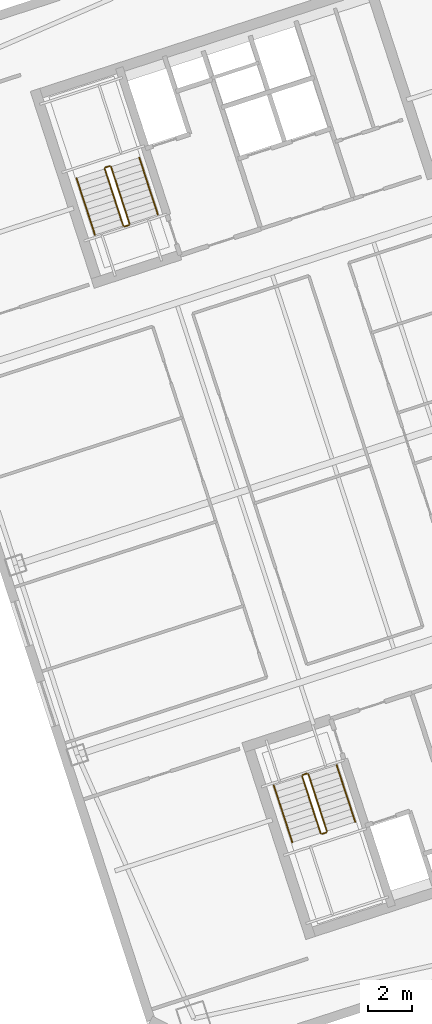
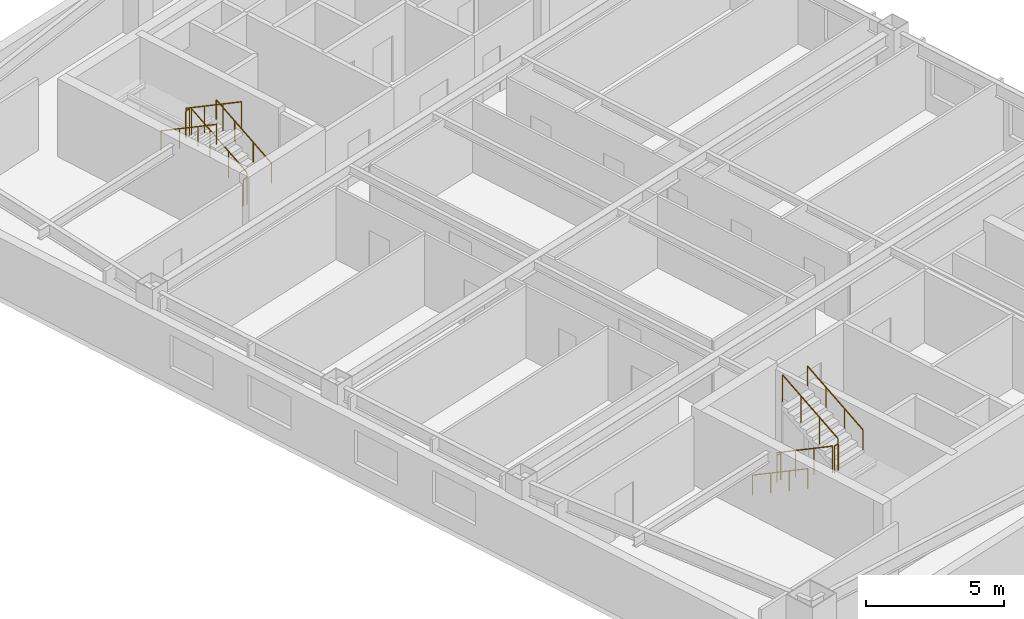
# One storey, part 13 of 13: 12 railings.
"""IFC4 building model written with IfcOpenShell, lengths in metres."""

from ifc_helpers import new_model, si_unit, direction, frame, origin, origin_2d, place, context, subcontext, project, spatial, circle, extrude, material, type_object, element, save


model = new_model("IFC4")

# Units and contexts
model_context = context("Model", 3, precision=1e-05, world=origin(), true_north=direction((0.0, 1.0)))
body_context = subcontext(model_context, "Body", "Model", "MODEL_VIEW")
ifc_project = project(units=[si_unit("LENGTHUNIT", "METRE"), si_unit("AREAUNIT", "SQUARE_METRE"), si_unit("VOLUMEUNIT", "CUBIC_METRE"), si_unit("PLANEANGLEUNIT", "RADIAN"), si_unit("MASSUNIT", "GRAM", prefix="KILO")], contexts=[model_context])

# Site, building, storey
site_placement = place(None, origin())
site = spatial("IfcSite", under=ifc_project, at=site_placement, CompositionType="ELEMENT")
building_placement = place(site_placement, origin())
building = spatial("IfcBuilding", under=site, at=building_placement, Name="Qiaolan Cultural Towers", CompositionType="ELEMENT")
storey_placement = place(building_placement, frame((0.0, 0.0, 192.050048828125)))
storey = spatial("IfcBuildingStorey", under=building, at=storey_placement, Name="L51", CompositionType="ELEMENT", Elevation=192.050048828125)

# Railings
ifc_material_1 = material(Name="Galvanized Painted Steel Stair Guardrail", Category="steel")
railing_type_1 = type_object("IfcRailingType", Name="RL-STAIR-GRD", PredefinedType="GUARDRAIL", material=ifc_material_1)
railing_1_placement = place(storey_placement, frame((88.60205078125, 19.82421875, 0.17236328125)))
element("IfcRailing", 1, at=railing_1_placement, inside=storey, type_object=railing_type_1, Name="L51 ST-E1 stair guard 1", PredefinedType="GUARDRAIL", context=body_context, shape_type="SweptSolid", body=[
    extrude(circle(Radius=0.02392578125, at=origin_2d()), frame((0.0, 0.0, 1.17578125), z_axis=(0.267925668498, -0.824471088726, 0.498460891159), x_axis=(0.951043371037, 0.309057448393, 0.0)), (0.0, 0.0, 1.0), 3.114501953125),
    extrude(circle(Radius=0.02099609375, at=origin_2d()), origin(), (0.0, 0.0, 1.0), 1.15185546875),
    extrude(circle(Radius=0.02099609375, at=origin_2d()), frame((0.278076171875, -0.85595703125, 0.517578125)), (0.0, 0.0, 1.0), 1.15185546875),
    extrude(circle(Radius=0.02099609375, at=origin_2d()), frame((0.556396484375, -1.7119140625, 1.034912109375)), (0.0, 0.0, 1.0), 1.15185546875),
    extrude(circle(Radius=0.02099609375, at=origin_2d()), frame((0.83447265625, -2.56787109375, 1.552490234375)), (0.0, 0.0, 1.0), 1.15185546875),
])
railing_2_placement = place(storey_placement, frame((89.49951171875, 17.224365234375, 1.724853515625)))
element("IfcRailing", 2, at=railing_2_placement, inside=storey, type_object=railing_type_1, Name="L51 ST-E1 stair guard 2", PredefinedType="GUARDRAIL", context=body_context, shape_type="SweptSolid", body=[
    extrude(circle(Radius=0.02392578125, at=origin_2d()), frame((0.0, 0.0, 1.17578125), z_axis=(0.951096855055, 0.308892816854, 0.0), x_axis=(-0.308892816854, 0.951096855055, 0.0)), (0.0, 0.0, 1.0), 0.199951171875),
    extrude(circle(Radius=0.02099609375, at=origin_2d()), origin(), (0.0, 0.0, 1.0), 1.15185546875),
    extrude(circle(Radius=0.02099609375, at=origin_2d()), frame((0.190185546875, 0.061767578125, 0.0)), (0.0, 0.0, 1.0), 1.15185546875),
])
railing_3_placement = place(storey_placement, frame((89.721923828125, 17.34912109375, 1.8974609375)))
element("IfcRailing", 3, at=railing_3_placement, inside=storey, type_object=railing_type_1, Name="L51 ST-E1 stair guard 3", PredefinedType="GUARDRAIL", context=body_context, shape_type="SweptSolid", body=[
    extrude(circle(Radius=0.02392578125, at=origin_2d()), frame((0.0, 0.0, 1.17578125), z_axis=(-0.267925668498, 0.824471088726, 0.498460891159), x_axis=(-0.951043371037, -0.309057448393, 0.0)), (0.0, 0.0, 1.0), 3.114501953125),
    extrude(circle(Radius=0.02099609375, at=origin_2d()), origin(), (0.0, 0.0, 1.0), 1.15185546875),
    extrude(circle(Radius=0.02099609375, at=origin_2d()), frame((-0.278076171875, 0.85595703125, 0.517578125)), (0.0, 0.0, 1.0), 1.15185546875),
    extrude(circle(Radius=0.02099609375, at=origin_2d()), frame((-0.556396484375, 1.7119140625, 1.034912109375)), (0.0, 0.0, 1.0), 1.15185546875),
    extrude(circle(Radius=0.02099609375, at=origin_2d()), frame((-0.83447265625, 2.56787109375, 1.552490234375)), (0.0, 0.0, 1.0), 1.15185546875),
])
railing_4_placement = place(storey_placement, frame((88.63427734375, 19.88720703125, 0.0)))
element("IfcRailing", 4, at=railing_4_placement, inside=storey, type_object=railing_type_1, Name="L51 ST-E1 stair guard 4", PredefinedType="GUARDRAIL", context=body_context, shape_type="SweptSolid", body=[
    extrude(circle(Radius=0.02392578125, at=origin_2d()), frame((0.0, 0.0, 1.17578125), z_axis=(0.951096855055, 0.308892816854, 0.0), x_axis=(-0.308892816854, 0.951096855055, 0.0)), (0.0, 0.0, 1.0), 0.199951171875),
    extrude(circle(Radius=0.02099609375, at=origin_2d()), origin(), (0.0, 0.0, 1.0), 1.15185546875),
    extrude(circle(Radius=0.02099609375, at=origin_2d()), frame((0.190185546875, 0.061767578125, 0.0)), (0.0, 0.0, 1.0), 1.15185546875),
])
railing_5_placement = place(storey_placement, frame((80.822021484375, 44.739501953125, 0.17236328125)))
element("IfcRailing", 5, at=railing_5_placement, inside=storey, type_object=railing_type_1, Name="L51 ST-E2 stair guard 1", PredefinedType="GUARDRAIL", context=body_context, shape_type="SweptSolid", body=[
    extrude(circle(Radius=0.02392578125, at=origin_2d()), frame((0.0, 0.0, 1.17578125), z_axis=(-0.26785290645, 0.824488402118, 0.498471358535), x_axis=(-0.951069945308, -0.308975661068, 0.0)), (0.0, 0.0, 1.0), 3.114501953125),
    extrude(circle(Radius=0.02099609375, at=origin_2d()), origin(), (0.0, 0.0, 1.0), 1.15185546875),
    extrude(circle(Radius=0.02099609375, at=origin_2d()), frame((-0.278076171875, 0.85595703125, 0.517578125)), (0.0, 0.0, 1.0), 1.15185546875),
    extrude(circle(Radius=0.02099609375, at=origin_2d()), frame((-0.55615234375, 1.7119140625, 1.034912109375)), (0.0, 0.0, 1.0), 1.15185546875),
    extrude(circle(Radius=0.02099609375, at=origin_2d()), frame((-0.834228515625, 2.56787109375, 1.552490234375)), (0.0, 0.0, 1.0), 1.15185546875),
])
railing_6_placement = place(storey_placement, frame((79.9248046875, 47.33935546875, 1.724853515625)))
element("IfcRailing", 6, at=railing_6_placement, inside=storey, type_object=railing_type_1, Name="L51 ST-E2 stair guard 2", PredefinedType="GUARDRAIL", context=body_context, shape_type="SweptSolid", body=[
    extrude(circle(Radius=0.02392578125, at=origin_2d()), frame((0.0, 0.0, 1.17578125), z_axis=(-0.951096855055, -0.308892816854, 0.0), x_axis=(0.308892816854, -0.951096855055, 0.0)), (0.0, 0.0, 1.0), 0.199951171875),
    extrude(circle(Radius=0.02099609375, at=origin_2d()), origin(), (0.0, 0.0, 1.0), 1.15185546875),
    extrude(circle(Radius=0.02099609375, at=origin_2d()), frame((-0.190185546875, -0.061767578125, 0.0)), (0.0, 0.0, 1.0), 1.15185546875),
])
railing_7_placement = place(storey_placement, frame((79.702392578125, 47.214599609375, 1.8974609375)))
element("IfcRailing", 7, at=railing_7_placement, inside=storey, type_object=railing_type_1, Name="L51 ST-E2 stair guard 3", PredefinedType="GUARDRAIL", context=body_context, shape_type="SweptSolid", body=[
    extrude(circle(Radius=0.02392578125, at=origin_2d()), frame((0.0, 0.0, 1.17578125), z_axis=(0.267925668498, -0.824471088726, 0.498460891159), x_axis=(0.951043371037, 0.309057448393, 0.0)), (0.0, 0.0, 1.0), 3.114501953125),
    extrude(circle(Radius=0.02099609375, at=origin_2d()), origin(), (0.0, 0.0, 1.0), 1.15185546875),
    extrude(circle(Radius=0.02099609375, at=origin_2d()), frame((0.278076171875, -0.85595703125, 0.517578125)), (0.0, 0.0, 1.0), 1.15185546875),
    extrude(circle(Radius=0.02099609375, at=origin_2d()), frame((0.556396484375, -1.7119140625, 1.034912109375)), (0.0, 0.0, 1.0), 1.15185546875),
    extrude(circle(Radius=0.02099609375, at=origin_2d()), frame((0.83447265625, -2.56787109375, 1.552490234375)), (0.0, 0.0, 1.0), 1.15185546875),
])
railing_8_placement = place(storey_placement, frame((80.7900390625, 44.676513671875, 0.0)))
element("IfcRailing", 8, at=railing_8_placement, inside=storey, type_object=railing_type_1, Name="L51 ST-E2 stair guard 4", PredefinedType="GUARDRAIL", context=body_context, shape_type="SweptSolid", body=[
    extrude(circle(Radius=0.02392578125, at=origin_2d()), frame((0.0, 0.0, 1.17578125), z_axis=(-0.951096855055, -0.308892816854, 0.0), x_axis=(0.308892816854, -0.951096855055, 0.0)), (0.0, 0.0, 1.0), 0.199951171875),
    extrude(circle(Radius=0.02099609375, at=origin_2d()), origin(), (0.0, 0.0, 1.0), 1.15185546875),
    extrude(circle(Radius=0.02099609375, at=origin_2d()), frame((-0.190185546875, -0.061767578125, 0.0)), (0.0, 0.0, 1.0), 1.15185546875),
])
ifc_material_2 = material(Name="Stainless Steel S30408 Tubular Handrail", Category="steel")
railing_type_2 = type_object("IfcRailingType", Name="RL-STAIR-HR", PredefinedType="HANDRAIL", material=ifc_material_2)
railing_9_placement = place(storey_placement, frame((87.32763671875, 19.41015625, 0.17236328125)))
element("IfcRailing", 9, at=railing_9_placement, inside=storey, type_object=railing_type_2, Name="L51 ST-E1 stair handrail 1", PredefinedType="HANDRAIL", context=body_context, shape_type="SweptSolid", body=[
    extrude(circle(Radius=0.02392578125, at=origin_2d()), frame((0.0, 0.0, 0.8759765625), z_axis=(0.267925668498, -0.824471088726, 0.498460891159), x_axis=(0.951043371037, 0.309057448393, 0.0)), (0.0, 0.0, 1.0), 3.114501953125),
    extrude(circle(Radius=0.02099609375, at=origin_2d()), origin(), (0.0, 0.0, 1.0), 0.851806640625),
    extrude(circle(Radius=0.02099609375, at=origin_2d()), frame((0.278076171875, -0.85595703125, 0.517578125)), (0.0, 0.0, 1.0), 0.851806640625),
    extrude(circle(Radius=0.02099609375, at=origin_2d()), frame((0.556396484375, -1.7119140625, 1.034912109375)), (0.0, 0.0, 1.0), 0.851806640625),
    extrude(circle(Radius=0.02099609375, at=origin_2d()), frame((0.83447265625, -2.56787109375, 1.552490234375)), (0.0, 0.0, 1.0), 0.851806640625),
])
railing_10_placement = place(storey_placement, frame((90.996337890625, 17.76318359375, 1.8974609375)))
element("IfcRailing", 10, at=railing_10_placement, inside=storey, type_object=railing_type_2, Name="L51 ST-E1 stair handrail 2", PredefinedType="HANDRAIL", context=body_context, shape_type="SweptSolid", body=[
    extrude(circle(Radius=0.02392578125, at=origin_2d()), frame((0.0, 0.0, 0.8759765625), z_axis=(-0.267925668498, 0.824471088726, 0.498460891159), x_axis=(-0.951043371037, -0.309057448393, 0.0)), (0.0, 0.0, 1.0), 3.114501953125),
    extrude(circle(Radius=0.02099609375, at=origin_2d()), origin(), (0.0, 0.0, 1.0), 0.851806640625),
    extrude(circle(Radius=0.02099609375, at=origin_2d()), frame((-0.278076171875, 0.85595703125, 0.517578125)), (0.0, 0.0, 1.0), 0.851806640625),
    extrude(circle(Radius=0.02099609375, at=origin_2d()), frame((-0.556396484375, 1.7119140625, 1.034912109375)), (0.0, 0.0, 1.0), 0.851806640625),
    extrude(circle(Radius=0.02099609375, at=origin_2d()), frame((-0.83447265625, 2.56787109375, 1.552490234375)), (0.0, 0.0, 1.0), 0.851806640625),
])
railing_11_placement = place(storey_placement, frame((82.096435546875, 45.153564453125, 0.17236328125)))
element("IfcRailing", 11, at=railing_11_placement, inside=storey, type_object=railing_type_2, Name="L51 ST-E2 stair handrail 1", PredefinedType="HANDRAIL", context=body_context, shape_type="SweptSolid", body=[
    extrude(circle(Radius=0.02392578125, at=origin_2d()), frame((0.0, 0.0, 0.8759765625), z_axis=(-0.26785290645, 0.824488402118, 0.498471358535), x_axis=(-0.951069945308, -0.308975661068, 0.0)), (0.0, 0.0, 1.0), 3.114501953125),
    extrude(circle(Radius=0.02099609375, at=origin_2d()), origin(), (0.0, 0.0, 1.0), 0.851806640625),
    extrude(circle(Radius=0.02099609375, at=origin_2d()), frame((-0.278076171875, 0.85595703125, 0.517578125)), (0.0, 0.0, 1.0), 0.851806640625),
    extrude(circle(Radius=0.02099609375, at=origin_2d()), frame((-0.55615234375, 1.7119140625, 1.034912109375)), (0.0, 0.0, 1.0), 0.851806640625),
    extrude(circle(Radius=0.02099609375, at=origin_2d()), frame((-0.834228515625, 2.56787109375, 1.552490234375)), (0.0, 0.0, 1.0), 0.851806640625),
])
railing_12_placement = place(storey_placement, frame((78.427978515625, 46.800537109375, 1.8974609375)))
element("IfcRailing", 12, at=railing_12_placement, inside=storey, type_object=railing_type_2, Name="L51 ST-E2 stair handrail 2", PredefinedType="HANDRAIL", context=body_context, shape_type="SweptSolid", body=[
    extrude(circle(Radius=0.02392578125, at=origin_2d()), frame((0.0, 0.0, 0.8759765625), z_axis=(0.267925668498, -0.824471088726, 0.498460891159), x_axis=(0.951043371037, 0.309057448393, 0.0)), (0.0, 0.0, 1.0), 3.114501953125),
    extrude(circle(Radius=0.02099609375, at=origin_2d()), origin(), (0.0, 0.0, 1.0), 0.851806640625),
    extrude(circle(Radius=0.02099609375, at=origin_2d()), frame((0.278076171875, -0.85595703125, 0.517578125)), (0.0, 0.0, 1.0), 0.851806640625),
    extrude(circle(Radius=0.02099609375, at=origin_2d()), frame((0.556396484375, -1.7119140625, 1.034912109375)), (0.0, 0.0, 1.0), 0.851806640625),
    extrude(circle(Radius=0.02099609375, at=origin_2d()), frame((0.83447265625, -2.56787109375, 1.552490234375)), (0.0, 0.0, 1.0), 0.851806640625),
])

save(model, "model.ifc")
